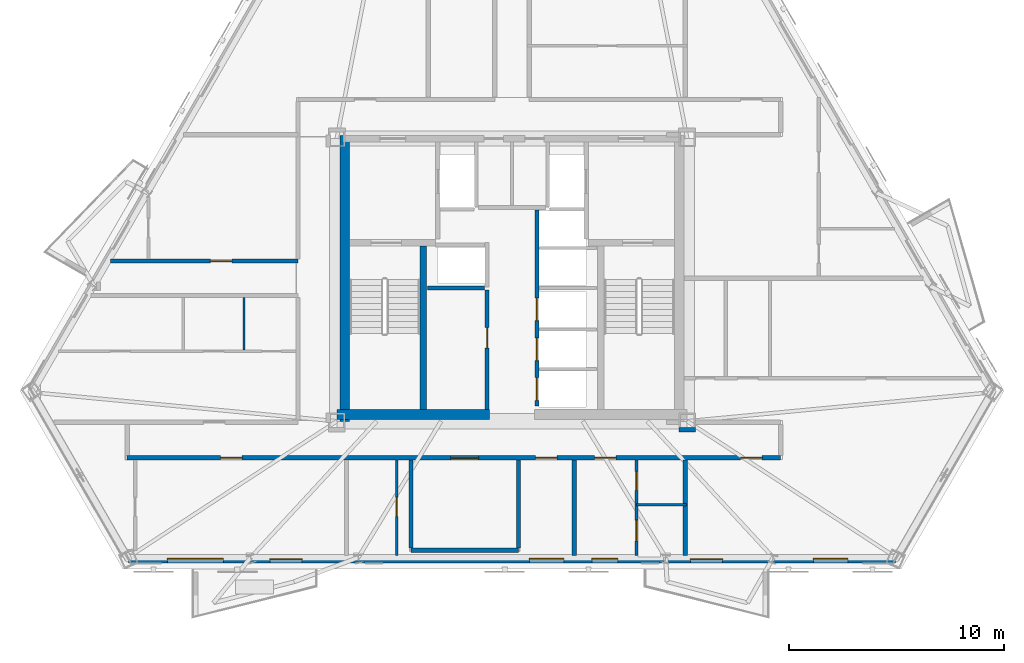
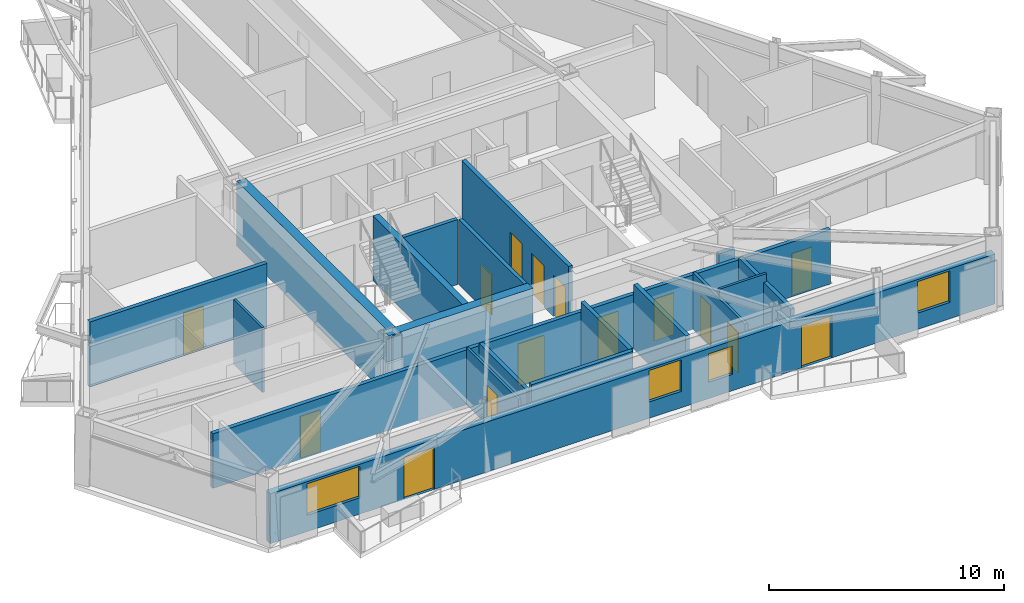
# One storey, part 3 of 9: 19 walls, 15 doors, 4 windows, 19 openings.
"""IFC4 building model written with IfcOpenShell, lengths in metres."""

from ifc_helpers import new_model, si_unit, direction, frame, frame_2d, origin, place, context, subcontext, project, spatial, rectangle, extrude, material, layer, layer_set, type_object, element, fill, save


model = new_model("IFC4")

# Units and contexts
model_context = context("Model", 3, precision=1e-05, world=origin(), true_north=direction((0.0, 1.0)))
body_context = subcontext(model_context, "Body", "Model", "MODEL_VIEW")
ifc_project = project(units=[si_unit("LENGTHUNIT", "METRE"), si_unit("AREAUNIT", "SQUARE_METRE"), si_unit("VOLUMEUNIT", "CUBIC_METRE"), si_unit("PLANEANGLEUNIT", "RADIAN"), si_unit("MASSUNIT", "GRAM", prefix="KILO")], contexts=[model_context])

# Site, building, storey
site_placement = place(None, origin())
site = spatial("IfcSite", under=ifc_project, at=site_placement, CompositionType="ELEMENT")
building_placement = place(site_placement, origin())
building = spatial("IfcBuilding", under=site, at=building_placement, Name="Oramaril Tower", CompositionType="ELEMENT")
storey_placement = place(building_placement, frame((0.0, 0.0, 160.199951171875)))
storey = spatial("IfcBuildingStorey", under=building, at=storey_placement, Name="L42", CompositionType="ELEMENT", Elevation=160.199951171875)

# Wall, openings, doors, windows
ifc_material_1 = material(Name="Warm Cream Limestone", Category="masonry")
ifc_layer_1 = layer(ifc_material_1, 0.340087890625)
ifc_layer_set_1 = layer_set([ifc_layer_1], Name="WT-EXT34")
wall_type_1 = type_object("IfcWallType", Name="WT-EXT34", PredefinedType="SOLIDWALL", material=ifc_layer_set_1)
wall_1_placement = place(storey_placement, frame((19.663818359375, 4.586669921875, 0.0), z_axis=(0.0, 0.0, 1.0), x_axis=(1.0, 0.0, 0.0)))
wall_1 = element("IfcWall", 1, at=wall_1_placement, inside=storey, type_object=wall_type_1, Name="L42 Tower Limestone Facade Wall 2M", PredefinedType="SOLIDWALL", context=body_context, shape_type="SweptSolid", body=[
    extrude(rectangle(XDim=35.67236328125, YDim=0.340087890625, at=frame_2d((17.836181640625, 0.0))), origin(), (0.0, 0.0, 1.0), 2.60009765625),
])
opening_1_placement = place(wall_1_placement, frame((6.579345703125, 0.0, 0.0)))
opening_1 = element("IfcOpeningElement", 2, at=opening_1_placement, cuts=wall_1, Name="Opening D-L42-BAL-S1", PredefinedType="OPENING", context=body_context, shape_type="SweptSolid", body=[
    extrude(rectangle(XDim=1.5, YDim=2.199951171875, at=frame_2d((0.75, 1.10009765625))), frame((0.0, 0.169921875, 0.0), z_axis=(0.0, -1.0, 0.0), x_axis=(1.0, 0.0, 0.0)), (0.0, 0.0, 1.0), 0.340087890625),
])
opening_2_placement = place(wall_1_placement, frame((26.13818359375, 0.0, 0.0)))
opening_2 = element("IfcOpeningElement", 3, at=opening_2_placement, cuts=wall_1, Name="Opening D-L42-BAL-S2", PredefinedType="OPENING", context=body_context, shape_type="SweptSolid", body=[
    extrude(rectangle(XDim=1.5, YDim=2.199951171875, at=frame_2d((0.75, 1.10009765625))), frame((0.0, 0.169921875, 0.0), z_axis=(0.0, -1.0, 0.0), x_axis=(1.0, 0.0, 0.0)), (0.0, 0.0, 1.0), 0.340087890625),
])
opening_3_placement = place(wall_1_placement, frame((1.8095703125, 0.0, 0.85009765625)))
opening_3 = element("IfcOpeningElement", 4, at=opening_3_placement, cuts=wall_1, Name="Opening WN-02", PredefinedType="OPENING", context=body_context, shape_type="SweptSolid", body=[
    extrude(rectangle(XDim=2.60009765625, YDim=1.639892578125, at=frame_2d((1.300048828125, 0.81982421875))), frame((0.0, 0.169921875, 0.0), z_axis=(0.0, -1.0, 0.0), x_axis=(1.0, 0.0, 0.0)), (0.0, 0.0, 1.0), 0.340087890625),
])
opening_4_placement = place(wall_1_placement, frame((18.6455078125, 0.0, 0.85009765625)))
opening_4 = element("IfcOpeningElement", 5, at=opening_4_placement, cuts=wall_1, Name="Opening WN-07", PredefinedType="OPENING", context=body_context, shape_type="SweptSolid", body=[
    extrude(rectangle(XDim=1.60009765625, YDim=1.639892578125, at=frame_2d((0.800048828125, 0.81982421875))), frame((0.0, 0.169921875, 0.0), z_axis=(0.0, -1.0, 0.0), x_axis=(1.0, 0.0, 0.0)), (0.0, 0.0, 1.0), 0.340087890625),
])
opening_5_placement = place(wall_1_placement, frame((31.85302734375, 0.0, 0.85009765625)))
opening_5 = element("IfcOpeningElement", 6, at=opening_5_placement, cuts=wall_1, Name="Opening WN-07", PredefinedType="OPENING", context=body_context, shape_type="SweptSolid", body=[
    extrude(rectangle(XDim=1.60009765625, YDim=1.639892578125, at=frame_2d((0.800048828125, 0.81982421875))), frame((0.0, 0.169921875, 0.0), z_axis=(0.0, -1.0, 0.0), x_axis=(1.0, 0.0, 0.0)), (0.0, 0.0, 1.0), 0.340087890625),
])
opening_6_placement = place(wall_1_placement, frame((21.554931640625, 0.0, 0.85009765625)))
opening_6 = element("IfcOpeningElement", 7, at=opening_6_placement, cuts=wall_1, Name="Opening WN-09", PredefinedType="OPENING", context=body_context, shape_type="SweptSolid", body=[
    extrude(rectangle(XDim=1.199951171875, YDim=1.47998046875, at=frame_2d((0.60009765625, 0.739990234375))), frame((0.0, 0.169921875, 0.0), z_axis=(0.0, -1.0, 0.0), x_axis=(1.0, 0.0, 0.0)), (0.0, 0.0, 1.0), 0.340087890625),
])
ifc_material_2 = material(Name="Anodised Aluminium 6063-T6", Category="aluminium")
door_type_1 = type_object("IfcDoorType", Name="DT-BAL", OperationType="NOTDEFINED", PredefinedType="DOOR", material=ifc_material_2)
door_1_placement = place(opening_1_placement, origin())
door_1 = element("IfcDoor", 8, at=door_1_placement, inside=storey, type_object=door_type_1, Name="L42 Balcony Glazed Door L42-BAL-S1", OperationType="SINGLE_SWING_LEFT", OverallHeight=2.199951171875, OverallWidth=1.5, PredefinedType="DOOR", context=body_context, shape_type="SweptSolid", body=[
    extrude(rectangle(XDim=1.5, YDim=2.199951171875, at=frame_2d((0.75, 1.10009765625))), frame((0.0, 0.02490234375, 0.0), z_axis=(0.0, -1.0, 0.0), x_axis=(1.0, 0.0, 0.0)), (0.0, 0.0, 1.0), 0.050048828125),
])
fill(opening_1, door_1)
door_2_placement = place(opening_2_placement, origin())
door_2 = element("IfcDoor", 9, at=door_2_placement, inside=storey, type_object=door_type_1, Name="L42 Balcony Glazed Door L42-BAL-S2", OperationType="SINGLE_SWING_RIGHT", OverallHeight=2.199951171875, OverallWidth=1.5, PredefinedType="DOOR", context=body_context, shape_type="SweptSolid", body=[
    extrude(rectangle(XDim=1.5, YDim=2.199951171875, at=frame_2d((0.75, 1.10009765625))), frame((0.0, 0.02490234375, 0.0), z_axis=(0.0, -1.0, 0.0), x_axis=(1.0, 0.0, 0.0)), (0.0, 0.0, 1.0), 0.050048828125),
])
fill(opening_2, door_2)
ifc_material_3 = material(Name="Coastal Low-E Insulated Glass", Category="glass")
window_type_1 = type_object("IfcWindowType", Name="WNT-02", PartitioningType="SINGLE_PANEL", PredefinedType="WINDOW", material=ifc_material_3)
window_1_placement = place(opening_3_placement, origin())
window_1 = element("IfcWindow", 10, at=window_1_placement, inside=storey, type_object=window_type_1, Name="L42 Chicago Bay Window WN-02", OverallHeight=1.639892578125, OverallWidth=2.60009765625, PartitioningType="SINGLE_PANEL", PredefinedType="WINDOW", context=body_context, shape_type="SweptSolid", body=[
    extrude(rectangle(XDim=2.60009765625, YDim=1.639892578125, at=frame_2d((1.300048828125, 0.81982421875))), frame((0.0, 0.030029296875, 0.0), z_axis=(0.0, -1.0, 0.0), x_axis=(1.0, 0.0, 0.0)), (0.0, 0.0, 1.0), 0.06005859375),
])
fill(opening_3, window_1)
ifc_material_4 = material(Name="Coastal Low-E Insulated Glass", Category="glass")
window_type_2 = type_object("IfcWindowType", Name="WNT-07", PartitioningType="SINGLE_PANEL", PredefinedType="WINDOW", material=ifc_material_4)
window_2_placement = place(opening_4_placement, origin())
window_2 = element("IfcWindow", 11, at=window_2_placement, inside=storey, type_object=window_type_2, Name="L42 Chicago Bay Window WN-07", OverallHeight=1.639892578125, OverallWidth=1.60009765625, PartitioningType="SINGLE_PANEL", PredefinedType="WINDOW", context=body_context, shape_type="SweptSolid", body=[
    extrude(rectangle(XDim=1.60009765625, YDim=1.639892578125, at=frame_2d((0.800048828125, 0.81982421875))), frame((0.0, 0.030029296875, 0.0), z_axis=(0.0, -1.0, 0.0), x_axis=(1.0, 0.0, 0.0)), (0.0, 0.0, 1.0), 0.06005859375),
])
fill(opening_4, window_2)
window_3_placement = place(opening_5_placement, origin())
window_3 = element("IfcWindow", 12, at=window_3_placement, inside=storey, type_object=window_type_2, Name="L42 Chicago Bay Window WN-07", OverallHeight=1.639892578125, OverallWidth=1.60009765625, PartitioningType="SINGLE_PANEL", PredefinedType="WINDOW", context=body_context, shape_type="SweptSolid", body=[
    extrude(rectangle(XDim=1.60009765625, YDim=1.639892578125, at=frame_2d((0.800048828125, 0.81982421875))), frame((0.0, 0.030029296875, 0.0), z_axis=(0.0, -1.0, 0.0), x_axis=(1.0, 0.0, 0.0)), (0.0, 0.0, 1.0), 0.06005859375),
])
fill(opening_5, window_3)
ifc_material_5 = material(Name="Coastal Low-E Insulated Glass", Category="glass")
window_type_3 = type_object("IfcWindowType", Name="WNT-09", PartitioningType="SINGLE_PANEL", PredefinedType="WINDOW", material=ifc_material_5)
window_4_placement = place(opening_6_placement, origin())
window_4 = element("IfcWindow", 13, at=window_4_placement, inside=storey, type_object=window_type_3, Name="L42 Apartment Bedroom Window WN-09", OverallHeight=1.47998046875, OverallWidth=1.199951171875, PartitioningType="SINGLE_PANEL", PredefinedType="WINDOW", context=body_context, shape_type="SweptSolid", body=[
    extrude(rectangle(XDim=1.199951171875, YDim=1.47998046875, at=frame_2d((0.60009765625, 0.739990234375))), frame((0.0, 0.030029296875, 0.0), z_axis=(0.0, -1.0, 0.0), x_axis=(1.0, 0.0, 0.0)), (0.0, 0.0, 1.0), 0.06005859375),
])
fill(opening_6, window_4)

# Walls
ifc_material_6 = material(Name="Acoustic Gypsum Board Partition")
ifc_layer_2 = layer(ifc_material_6, 0.10009765625)
ifc_layer_set_2 = layer_set([ifc_layer_2], Name="WT-PT10")
wall_type_2 = type_object("IfcWallType", Name="WT-PT10", PredefinedType="PARTITIONING", material=ifc_layer_set_2)
wall_2_placement = place(storey_placement, frame((25.030029296875, 14.31396484375, 0.0), z_axis=(0.0, 0.0, 1.0), x_axis=(0.0, 1.0, 0.0)))
element("IfcWall", 14, at=wall_2_placement, inside=storey, type_object=wall_type_2, Name="L42 Interior Partition PT-10", PredefinedType="PARTITIONING", context=body_context, shape_type="SweptSolid", body=[
    extrude(rectangle(XDim=2.43212890625, YDim=0.10009765625, at=frame_2d((1.216064453125, 0.0))), origin(), (0.0, 0.0, 1.0), 3.380126953125),
])
ifc_material_7 = material(Name="Acoustic Gypsum Board Partition")
ifc_layer_3 = layer(ifc_material_7, 0.1201171875)
ifc_layer_set_3 = layer_set([ifc_layer_3], Name="WT-PT12")
wall_type_3 = type_object("IfcWallType", Name="WT-PT12", PredefinedType="PARTITIONING", material=ifc_layer_set_3)
wall_3_placement = place(storey_placement, frame((43.28955078125, 7.110107421875, 0.0), z_axis=(0.0, 0.0, 1.0), x_axis=(1.0, 0.0, 0.0)))
element("IfcWall", 15, at=wall_3_placement, inside=storey, type_object=wall_type_3, Name="L42 Interior Partition PT-12", PredefinedType="PARTITIONING", context=body_context, shape_type="SweptSolid", body=[
    extrude(rectangle(XDim=2.320556640625, YDim=0.1201171875, at=frame_2d((1.16015625, 0.0))), origin(), (0.0, 0.0, 1.0), 3.380126953125),
])

# Wall, opening, door
wall_4_placement = place(storey_placement, frame((32.1298828125, 4.7607421875, 0.0), z_axis=(0.0, 0.0, 1.0), x_axis=(0.0, 1.0, 0.0)))
wall_4 = element("IfcWall", 16, at=wall_4_placement, inside=storey, type_object=wall_type_3, Name="L42 Interior Partition PT-12", PredefinedType="PARTITIONING", context=body_context, shape_type="SweptSolid", body=[
    extrude(rectangle(XDim=4.435302734375, YDim=0.1201171875, at=frame_2d((2.2177734375, 0.0))), origin(), (0.0, 0.0, 1.0), 2.966064453125),
])
opening_7_placement = place(wall_4_placement, frame((1.817626953125, 0.0, 0.0)))
opening_7 = element("IfcOpeningElement", 17, at=opening_7_placement, cuts=wall_4, Name="Opening D-L42-22", PredefinedType="OPENING", context=body_context, shape_type="SweptSolid", body=[
    extrude(rectangle(XDim=0.8798828125, YDim=2.080078125, at=frame_2d((0.43994140625, 1.0400390625))), frame((0.0, 0.06005859375, 0.0), z_axis=(0.0, -1.0, 0.0), x_axis=(1.0, 0.0, 0.0)), (0.0, 0.0, 1.0), 0.1201171875),
])
ifc_material_8 = material(Name="FSC Brazilian Freijo Hardwood", Category="wood")
door_type_2 = type_object("IfcDoorType", Name="DT-BATH", OperationType="NOTDEFINED", PredefinedType="DOOR", material=ifc_material_8)
door_3_placement = place(opening_7_placement, origin())
door_3 = element("IfcDoor", 18, at=door_3_placement, inside=storey, type_object=door_type_2, Name="L42 Flat L42-U2 Bathroom Door D-L42-22", OperationType="SINGLE_SWING_RIGHT", OverallHeight=2.080078125, OverallWidth=0.8798828125, PredefinedType="DOOR", context=body_context, shape_type="SweptSolid", body=[
    extrude(rectangle(XDim=0.8798828125, YDim=2.080078125, at=frame_2d((0.43994140625, 1.0400390625))), frame((0.0, 0.02490234375, 0.0), z_axis=(0.0, -1.0, 0.0), x_axis=(1.0, 0.0, 0.0)), (0.0, 0.0, 1.0), 0.050048828125),
])
fill(opening_7, door_3)

# Wall, openings, doors
ifc_material_9 = material(Name="Acoustic Gypsum Board Partition")
ifc_layer_4 = layer(ifc_material_9, 0.139892578125)
ifc_layer_set_4 = layer_set([ifc_layer_4], Name="WT-PT14")
wall_type_4 = type_object("IfcWallType", Name="WT-PT14", PredefinedType="PARTITIONING", material=ifc_layer_set_4)
wall_5_placement = place(storey_placement, frame((43.2900390625, 4.7607421875, 0.0), z_axis=(0.0, 0.0, 1.0), x_axis=(0.0, 1.0, 0.0)))
wall_5 = element("IfcWall", 19, at=wall_5_placement, inside=storey, type_object=wall_type_4, Name="L42 Interior Partition PT-14", PredefinedType="PARTITIONING", context=body_context, shape_type="SweptSolid", body=[
    extrude(rectangle(XDim=4.435302734375, YDim=0.139892578125, at=frame_2d((2.2177734375, 0.0))), origin(), (0.0, 0.0, 1.0), 2.966064453125),
])
opening_8_placement = place(wall_5_placement, frame((0.673095703125, 0.0, 0.0)))
opening_8 = element("IfcOpeningElement", 20, at=opening_8_placement, cuts=wall_5, Name="Opening D-L42-25", PredefinedType="OPENING", context=body_context, shape_type="SweptSolid", body=[
    extrude(rectangle(XDim=0.949951171875, YDim=2.10009765625, at=frame_2d((0.47509765625, 1.050048828125))), frame((0.0, 0.06982421875, 0.0), z_axis=(0.0, -1.0, 0.0), x_axis=(1.0, 0.0, 0.0)), (0.0, 0.0, 1.0), 0.139892578125),
])
opening_9_placement = place(wall_5_placement, frame((3.019775390625, 0.0, 0.0)))
opening_9 = element("IfcOpeningElement", 21, at=opening_9_placement, cuts=wall_5, Name="Opening D-L42-26", PredefinedType="OPENING", context=body_context, shape_type="SweptSolid", body=[
    extrude(rectangle(XDim=0.8798828125, YDim=2.080078125, at=frame_2d((0.43994140625, 1.0400390625))), frame((0.0, 0.06982421875, 0.0), z_axis=(0.0, -1.0, 0.0), x_axis=(1.0, 0.0, 0.0)), (0.0, 0.0, 1.0), 0.139892578125),
])
door_4_placement = place(opening_9_placement, origin())
door_4 = element("IfcDoor", 22, at=door_4_placement, inside=storey, type_object=door_type_2, Name="L42 Flat L42-U3 Bathroom Door D-L42-26", OperationType="SINGLE_SWING_RIGHT", OverallHeight=2.080078125, OverallWidth=0.8798828125, PredefinedType="DOOR", context=body_context, shape_type="SweptSolid", body=[
    extrude(rectangle(XDim=0.8798828125, YDim=2.080078125, at=frame_2d((0.43994140625, 1.0400390625))), frame((0.0, 0.02490234375, 0.0), z_axis=(0.0, -1.0, 0.0), x_axis=(1.0, 0.0, 0.0)), (0.0, 0.0, 1.0), 0.050048828125),
])
fill(opening_9, door_4)
ifc_material_10 = material(Name="FSC Brazilian Freijo Hardwood", Category="wood")
door_type_3 = type_object("IfcDoorType", Name="DT-STDY", OperationType="NOTDEFINED", PredefinedType="DOOR", material=ifc_material_10)
door_5_placement = place(opening_8_placement, origin())
door_5 = element("IfcDoor", 23, at=door_5_placement, inside=storey, type_object=door_type_3, Name="L42 Flat L42-U3 Kitchen Door D-L42-25", OperationType="SINGLE_SWING_LEFT", OverallHeight=2.10009765625, OverallWidth=0.949951171875, PredefinedType="DOOR", context=body_context, shape_type="SweptSolid", body=[
    extrude(rectangle(XDim=0.949951171875, YDim=2.10009765625, at=frame_2d((0.47509765625, 1.050048828125))), frame((0.0, 0.02490234375, 0.0), z_axis=(0.0, -1.0, 0.0), x_axis=(1.0, 0.0, 0.0)), (0.0, 0.0, 1.0), 0.050048828125),
])
fill(opening_8, door_5)

# Wall
ifc_material_11 = material(Name="Autoclaved Cellular Concrete Block", Category="concrete")
ifc_layer_5 = layer(ifc_material_11, 0.179931640625)
ifc_layer_set_5 = layer_set([ifc_layer_5], Name="WT-PT18")
wall_type_5 = type_object("IfcWallType", Name="WT-PT18", PredefinedType="PARTITIONING", material=ifc_layer_set_5)
wall_6_placement = place(storey_placement, frame((33.56005859375, 17.199951171875, 0.0), z_axis=(0.0, 0.0, 1.0), x_axis=(1.0, 0.0, 0.0)))
element("IfcWall", 24, at=wall_6_placement, inside=storey, type_object=wall_type_5, Name="L42 High-Rise Lift H1 South Wall", PredefinedType="PARTITIONING", context=body_context, shape_type="SweptSolid", body=[
    extrude(rectangle(XDim=2.659912109375, YDim=0.179931640625, at=frame_2d((1.330078125, 0.0))), origin(), (0.0, 0.0, 1.0), 3.380126953125),
])

# Wall, opening, door
wall_7_placement = place(storey_placement, frame((36.340087890625, 11.550048828125, 0.0), z_axis=(0.0, 0.0, 1.0), x_axis=(0.0, 1.0, 0.0)))
wall_7 = element("IfcWall", 25, at=wall_7_placement, inside=storey, type_object=wall_type_5, Name="L42 Freed Shaft Study East Wall", PredefinedType="PARTITIONING", context=body_context, shape_type="SweptSolid", body=[
    extrude(rectangle(XDim=5.550048828125, YDim=0.179931640625, at=frame_2d((2.77490234375, 0.0))), origin(), (0.0, 0.0, 1.0), 3.380126953125),
])
opening_10_placement = place(wall_7_placement, frame((2.85009765625, 0.0, 0.0)))
opening_10 = element("IfcOpeningElement", 26, at=opening_10_placement, cuts=wall_7, Name="Opening D-L42-FL1", PredefinedType="OPENING", context=body_context, shape_type="SweptSolid", body=[
    extrude(rectangle(XDim=0.949951171875, YDim=2.10009765625, at=frame_2d((0.47509765625, 1.050048828125))), frame((0.0, 0.08984375, 0.0), z_axis=(0.0, -1.0, 0.0), x_axis=(1.0, 0.0, 0.0)), (0.0, 0.0, 1.0), 0.179931640625),
])
door_6_placement = place(opening_10_placement, origin())
door_6 = element("IfcDoor", 27, at=door_6_placement, inside=storey, type_object=door_type_3, Name="L42 L42 Residents Study Alcove Door", OperationType="SINGLE_SWING_LEFT", OverallHeight=2.10009765625, OverallWidth=0.949951171875, PredefinedType="DOOR", context=body_context, shape_type="SweptSolid", body=[
    extrude(rectangle(XDim=0.949951171875, YDim=2.10009765625, at=frame_2d((0.47509765625, 1.050048828125))), frame((0.0, 0.02490234375, 0.0), z_axis=(0.0, -1.0, 0.0), x_axis=(1.0, 0.0, 0.0)), (0.0, 0.0, 1.0), 0.050048828125),
])
fill(opening_10, door_6)

# Wall
ifc_material_12 = material(Name="Autoclaved Cellular Concrete Block", Category="concrete")
ifc_layer_6 = layer(ifc_material_12, 0.199951171875)
ifc_layer_set_6 = layer_set([ifc_layer_6], Name="WT-PT20")
wall_type_6 = type_object("IfcWallType", Name="WT-PT20", PredefinedType="PARTITIONING", material=ifc_layer_set_6)
wall_8_placement = place(storey_placement, frame((32.800048828125, 5.0, 0.0), z_axis=(0.0, 0.0, 1.0), x_axis=(1.0, 0.0, 0.0)))
element("IfcWall", 28, at=wall_8_placement, inside=storey, type_object=wall_type_6, Name="L42 Interior Partition PT-20", PredefinedType="PARTITIONING", context=body_context, shape_type="SweptSolid", body=[
    extrude(rectangle(XDim=5.0, YDim=0.199951171875, at=frame_2d((2.5, 0.0))), origin(), (0.0, 0.0, 1.0), 3.380126953125),
])

# Wall, openings, doors
wall_9_placement = place(storey_placement, frame((19.60009765625, 9.300048828125, 0.0), z_axis=(0.0, 0.0, 1.0), x_axis=(1.0, 0.0, 0.0)))
wall_9 = element("IfcWall", 29, at=wall_9_placement, inside=storey, type_object=wall_type_6, Name="L42 Interior Partition PT-20", PredefinedType="PARTITIONING", context=body_context, shape_type="SweptSolid", body=[
    extrude(rectangle(XDim=30.39990234375, YDim=0.199951171875, at=frame_2d((15.199951171875, 0.0))), origin(), (0.0, 0.0, 1.0), 2.842041015625),
])
opening_11_placement = place(wall_9_placement, frame((4.3447265625, 0.0, 0.0)))
opening_11 = element("IfcOpeningElement", 30, at=opening_11_placement, cuts=wall_9, Name="Opening D-L42-01", PredefinedType="OPENING", context=body_context, shape_type="SweptSolid", body=[
    extrude(rectangle(XDim=1.0, YDim=2.179931640625, at=frame_2d((0.5, 1.08984375))), frame((0.0, 0.10009765625, 0.0), z_axis=(0.0, -1.0, 0.0), x_axis=(1.0, 0.0, 0.0)), (0.0, 0.0, 1.0), 0.199951171875),
])
opening_12_placement = place(wall_9_placement, frame((15.050048828125, 0.0, 0.0)))
opening_12 = element("IfcOpeningElement", 31, at=opening_12_placement, cuts=wall_9, Name="Opening D-L42-02", PredefinedType="OPENING", context=body_context, shape_type="SweptSolid", body=[
    extrude(rectangle(XDim=1.300048828125, YDim=2.199951171875, at=frame_2d((0.64990234375, 1.10009765625))), frame((0.0, 0.10009765625, 0.0), z_axis=(0.0, -1.0, 0.0), x_axis=(1.0, 0.0, 0.0)), (0.0, 0.0, 1.0), 0.199951171875),
])
opening_13_placement = place(wall_9_placement, frame((19.0, 0.0, 0.0)))
opening_13 = element("IfcOpeningElement", 32, at=opening_13_placement, cuts=wall_9, Name="Opening D-L42-03", PredefinedType="OPENING", context=body_context, shape_type="SweptSolid", body=[
    extrude(rectangle(XDim=1.0, YDim=2.179931640625, at=frame_2d((0.5, 1.08984375))), frame((0.0, 0.10009765625, 0.0), z_axis=(0.0, -1.0, 0.0), x_axis=(1.0, 0.0, 0.0)), (0.0, 0.0, 1.0), 0.199951171875),
])
opening_14_placement = place(wall_9_placement, frame((21.744873046875, 0.0, 0.0)))
opening_14 = element("IfcOpeningElement", 33, at=opening_14_placement, cuts=wall_9, Name="Opening D-L42-04", PredefinedType="OPENING", context=body_context, shape_type="SweptSolid", body=[
    extrude(rectangle(XDim=1.0, YDim=2.179931640625, at=frame_2d((0.5, 1.08984375))), frame((0.0, 0.10009765625, 0.0), z_axis=(0.0, -1.0, 0.0), x_axis=(1.0, 0.0, 0.0)), (0.0, 0.0, 1.0), 0.199951171875),
])
opening_15_placement = place(wall_9_placement, frame((28.5322265625, 0.0, 0.0)))
opening_15 = element("IfcOpeningElement", 34, at=opening_15_placement, cuts=wall_9, Name="Opening D-L42-05", PredefinedType="OPENING", context=body_context, shape_type="SweptSolid", body=[
    extrude(rectangle(XDim=1.0, YDim=2.179931640625, at=frame_2d((0.5, 1.08984375))), frame((0.0, 0.10009765625, 0.0), z_axis=(0.0, -1.0, 0.0), x_axis=(1.0, 0.0, 0.0)), (0.0, 0.0, 1.0), 0.199951171875),
])
ifc_material_13 = material(Name="FSC Brazilian Freijo Hardwood", Category="wood")
door_type_4 = type_object("IfcDoorType", Name="DT-APT", OperationType="NOTDEFINED", PredefinedType="DOOR", material=ifc_material_13)
door_7_placement = place(opening_11_placement, origin())
door_7 = element("IfcDoor", 35, at=door_7_placement, inside=storey, type_object=door_type_4, Name="L42 Flat L42-U1 Kitchen and Studio Apartment Door D-L42-01", OperationType="SINGLE_SWING_LEFT", OverallHeight=2.179931640625, OverallWidth=1.0, PredefinedType="DOOR", context=body_context, shape_type="SweptSolid", body=[
    extrude(rectangle(XDim=1.0, YDim=2.179931640625, at=frame_2d((0.5, 1.08984375))), frame((0.0, 0.02490234375, 0.0), z_axis=(0.0, -1.0, 0.0), x_axis=(1.0, 0.0, 0.0)), (0.0, 0.0, 1.0), 0.050048828125),
])
fill(opening_11, door_7)
door_8_placement = place(opening_13_placement, origin())
door_8 = element("IfcDoor", 36, at=door_8_placement, inside=storey, type_object=door_type_4, Name="L42 Flat L42-U2 Kitchen and Studio Apartment Door D-L42-03", OperationType="SINGLE_SWING_LEFT", OverallHeight=2.179931640625, OverallWidth=1.0, PredefinedType="DOOR", context=body_context, shape_type="SweptSolid", body=[
    extrude(rectangle(XDim=1.0, YDim=2.179931640625, at=frame_2d((0.5, 1.08984375))), frame((0.0, 0.02490234375, 0.0), z_axis=(0.0, -1.0, 0.0), x_axis=(1.0, 0.0, 0.0)), (0.0, 0.0, 1.0), 0.050048828125),
])
fill(opening_13, door_8)
door_9_placement = place(opening_14_placement, origin())
door_9 = element("IfcDoor", 37, at=door_9_placement, inside=storey, type_object=door_type_4, Name="L42 Flat L42-U3 Studio Apartment Door D-L42-04", OperationType="SINGLE_SWING_RIGHT", OverallHeight=2.179931640625, OverallWidth=1.0, PredefinedType="DOOR", context=body_context, shape_type="SweptSolid", body=[
    extrude(rectangle(XDim=1.0, YDim=2.179931640625, at=frame_2d((0.5, 1.08984375))), frame((0.0, 0.02490234375, 0.0), z_axis=(0.0, -1.0, 0.0), x_axis=(1.0, 0.0, 0.0)), (0.0, 0.0, 1.0), 0.050048828125),
])
fill(opening_14, door_9)
door_10_placement = place(opening_15_placement, origin())
door_10 = element("IfcDoor", 38, at=door_10_placement, inside=storey, type_object=door_type_4, Name="L42 Flat L42-U6 Penthouse Living and Dining Room Door D-L42-05", OperationType="SINGLE_SWING_LEFT", OverallHeight=2.179931640625, OverallWidth=1.0, PredefinedType="DOOR", context=body_context, shape_type="SweptSolid", body=[
    extrude(rectangle(XDim=1.0, YDim=2.179931640625, at=frame_2d((0.5, 1.08984375))), frame((0.0, 0.02490234375, 0.0), z_axis=(0.0, -1.0, 0.0), x_axis=(1.0, 0.0, 0.0)), (0.0, 0.0, 1.0), 0.050048828125),
])
fill(opening_15, door_10)
ifc_material_14 = material(Name="FSC Brazilian Freijo Hardwood", Category="wood")
door_type_5 = type_object("IfcDoorType", Name="DT-COM", OperationType="NOTDEFINED", PredefinedType="DOOR", material=ifc_material_14)
door_11_placement = place(opening_12_placement, origin())
door_11 = element("IfcDoor", 39, at=door_11_placement, inside=storey, type_object=door_type_5, Name="L42 L42 Floor Co-Working Office Suite Door D-L42-02", OperationType="SINGLE_SWING_RIGHT", OverallHeight=2.199951171875, OverallWidth=1.300048828125, PredefinedType="DOOR", context=body_context, shape_type="SweptSolid", body=[
    extrude(rectangle(XDim=1.300048828125, YDim=2.199951171875, at=frame_2d((0.64990234375, 1.10009765625))), frame((0.0, 0.02490234375, 0.0), z_axis=(0.0, -1.0, 0.0), x_axis=(1.0, 0.0, 0.0)), (0.0, 0.0, 1.0), 0.050048828125),
])
fill(opening_12, door_11)

# Wall
wall_10_placement = place(storey_placement, frame((45.260009765625, 10.610107421875, 0.0), z_axis=(0.0, 0.0, 1.0), x_axis=(1.0, 0.0, 0.0)))
element("IfcWall", 40, at=wall_10_placement, inside=storey, type_object=wall_type_6, Name="L42 Interior Partition PT-20", PredefinedType="PARTITIONING", context=body_context, shape_type="SweptSolid", body=[
    extrude(rectangle(XDim=0.780029296875, YDim=0.199951171875, at=frame_2d((0.39013671875, 0.0))), origin(), (0.0, 0.0, 1.0), 2.420166015625),
])

# Wall, opening, door
wall_11_placement = place(storey_placement, frame((18.8349609375, 18.449951171875, 0.0), z_axis=(0.0, 0.0, 1.0), x_axis=(1.0, 0.0, 0.0)))
wall_11 = element("IfcWall", 41, at=wall_11_placement, inside=storey, type_object=wall_type_6, Name="L42 Interior Partition PT-20", PredefinedType="PARTITIONING", context=body_context, shape_type="SweptSolid", body=[
    extrude(rectangle(XDim=8.715087890625, YDim=0.199951171875, at=frame_2d((4.357421875, 0.0))), origin(), (0.0, 0.0, 1.0), 3.380126953125),
])
opening_16_placement = place(wall_11_placement, frame((4.640625, 0.0, 0.0)))
opening_16 = element("IfcOpeningElement", 42, at=opening_16_placement, cuts=wall_11, Name="Opening D-L42-13", PredefinedType="OPENING", context=body_context, shape_type="SweptSolid", body=[
    extrude(rectangle(XDim=1.0, YDim=2.179931640625, at=frame_2d((0.5, 1.08984375))), frame((0.0, 0.10009765625, 0.0), z_axis=(0.0, -1.0, 0.0), x_axis=(1.0, 0.0, 0.0)), (0.0, 0.0, 1.0), 0.199951171875),
])
door_12_placement = place(opening_16_placement, origin())
door_12 = element("IfcDoor", 43, at=door_12_placement, inside=storey, type_object=door_type_4, Name="L42 Flat L42-U5 Kitchen and Studio Apartment Door D-L42-13", OperationType="SINGLE_SWING_LEFT", OverallHeight=2.179931640625, OverallWidth=1.0, PredefinedType="DOOR", context=body_context, shape_type="SweptSolid", body=[
    extrude(rectangle(XDim=1.0, YDim=2.179931640625, at=frame_2d((0.5, 1.08984375))), frame((0.0, 0.02490234375, 0.0), z_axis=(0.0, -1.0, 0.0), x_axis=(1.0, 0.0, 0.0)), (0.0, 0.0, 1.0), 0.050048828125),
])
fill(opening_16, door_12)

# Walls
wall_12_placement = place(storey_placement, frame((32.800048828125, 5.10400390625, 0.0), z_axis=(0.0, 0.0, 1.0), x_axis=(0.0, 1.0, 0.0)))
element("IfcWall", 44, at=wall_12_placement, inside=storey, type_object=wall_type_6, Name="L42 Interior Partition PT-20", PredefinedType="PARTITIONING", context=body_context, shape_type="SweptSolid", body=[
    extrude(rectangle(XDim=4.092041015625, YDim=0.199951171875, at=frame_2d((2.0458984375, 0.0))), origin(), (0.0, 0.0, 1.0), 2.966064453125),
])
wall_13_placement = place(storey_placement, frame((37.800048828125, 5.10400390625, 0.0), z_axis=(0.0, 0.0, 1.0), x_axis=(0.0, 1.0, 0.0)))
element("IfcWall", 45, at=wall_13_placement, inside=storey, type_object=wall_type_6, Name="L42 Interior Partition PT-20", PredefinedType="PARTITIONING", context=body_context, shape_type="SweptSolid", body=[
    extrude(rectangle(XDim=4.092041015625, YDim=0.199951171875, at=frame_2d((2.0458984375, 0.0))), origin(), (0.0, 0.0, 1.0), 3.380126953125),
])
wall_14_placement = place(storey_placement, frame((40.39990234375, 4.7607421875, 0.0), z_axis=(0.0, 0.0, 1.0), x_axis=(0.0, 1.0, 0.0)))
element("IfcWall", 46, at=wall_14_placement, inside=storey, type_object=wall_type_6, Name="L42 Interior Partition PT-20", PredefinedType="PARTITIONING", context=body_context, shape_type="SweptSolid", body=[
    extrude(rectangle(XDim=4.435302734375, YDim=0.199951171875, at=frame_2d((2.2177734375, 0.0))), origin(), (0.0, 0.0, 1.0), 3.380126953125),
])
wall_15_placement = place(storey_placement, frame((45.56005859375, 4.7607421875, 0.0), z_axis=(0.0, 0.0, 1.0), x_axis=(0.0, 1.0, 0.0)))
element("IfcWall", 47, at=wall_15_placement, inside=storey, type_object=wall_type_6, Name="L42 Interior Partition PT-20", PredefinedType="PARTITIONING", context=body_context, shape_type="SweptSolid", body=[
    extrude(rectangle(XDim=4.435302734375, YDim=0.199951171875, at=frame_2d((2.2177734375, 0.0))), origin(), (0.0, 0.0, 1.0), 2.966064453125),
])
ifc_material_15 = material(Name="Concrete C50/60", Category="concrete")
ifc_layer_7 = layer(ifc_material_15, 0.300048828125)
ifc_layer_set_7 = layer_set([ifc_layer_7], Name="WT-SH30")
wall_type_7 = type_object("IfcWallType", Name="WT-SH30", PredefinedType="SHEAR", material=ifc_layer_set_7)
wall_16_placement = place(storey_placement, frame((33.3798828125, 11.5400390625, 0.0), z_axis=(0.0, 0.0, 1.0), x_axis=(0.0, 1.0, 0.0)))
element("IfcWall", 48, at=wall_16_placement, inside=storey, type_object=wall_type_7, Name="L42 Core Shear Wall CW-ST1E", PredefinedType="SHEAR", context=body_context, shape_type="SweptSolid", body=[
    extrude(rectangle(XDim=7.619873046875, YDim=0.300048828125, at=frame_2d((3.81005859375, 0.0))), origin(), (0.0, 0.0, 1.0), 3.380126953125),
])
ifc_material_16 = material(Name="Concrete C50/60", Category="concrete")
ifc_layer_8 = layer(ifc_material_16, 0.449951171875)
ifc_layer_set_8 = layer_set([ifc_layer_8], Name="WT-SH45")
wall_type_8 = type_object("IfcWallType", Name="WT-SH45", PredefinedType="SHEAR", material=ifc_layer_set_8)
wall_17_placement = place(storey_placement, frame((29.715087890625, 11.0, 0.0), z_axis=(0.0, 0.0, 1.0), x_axis=(0.0, 1.0, 0.0)))
element("IfcWall", 49, at=wall_17_placement, inside=storey, type_object=wall_type_8, Name="L42 Core Shear Wall CW-W", PredefinedType="SHEAR", context=body_context, shape_type="SweptSolid", body=[
    extrude(rectangle(XDim=13.300048828125, YDim=0.449951171875, at=frame_2d((6.64990234375, 0.0))), origin(), (0.0, 0.0, 1.0), 3.380126953125),
])
wall_18_placement = place(storey_placement, frame((29.35009765625, 11.31494140625, 0.0), z_axis=(0.0, 0.0, 1.0), x_axis=(1.0, 0.0, 0.0)))
element("IfcWall", 50, at=wall_18_placement, inside=storey, type_object=wall_type_8, Name="L42 Core Shear Wall CW-SW", PredefinedType="SHEAR", context=body_context, shape_type="SweptSolid", body=[
    extrude(rectangle(XDim=7.099853515625, YDim=0.449951171875, at=frame_2d((3.5498046875, 0.0))), origin(), (0.0, 0.0, 1.0), 3.380126953125),
])

# Wall, openings, doors
ifc_material_17 = material(Name="Autoclaved Cellular Concrete Block", Category="concrete")
ifc_layer_9 = layer(ifc_material_17, 0.199951171875)
ifc_layer_set_9 = layer_set([ifc_layer_9], Name="WT-SHF20")
wall_type_9 = type_object("IfcWallType", Name="WT-SHF20", PredefinedType="PARTITIONING", material=ifc_layer_set_9)
wall_19_placement = place(storey_placement, frame((38.659912109375, 11.719970703125, 0.0), z_axis=(0.0, 0.0, 1.0), x_axis=(0.0, 1.0, 0.0)))
wall_19 = element("IfcWall", 51, at=wall_19_placement, inside=storey, type_object=wall_type_9, Name="L42 East Lift Bank Front Wall", PredefinedType="PARTITIONING", context=body_context, shape_type="SweptSolid", body=[
    extrude(rectangle(XDim=9.10009765625, YDim=0.199951171875, at=frame_2d((4.550048828125, 0.0))), origin(), (0.0, 0.0, 1.0), 3.380126953125),
])
opening_17_placement = place(wall_19_placement, frame((0.2548828125, 0.0, 0.0)))
opening_17 = element("IfcOpeningElement", 52, at=opening_17_placement, cuts=wall_19, Name="Opening LD-L42-LP-M1", PredefinedType="OPENING", context=body_context, shape_type="SweptSolid", body=[
    extrude(rectangle(XDim=1.050048828125, YDim=2.14990234375, at=frame_2d((0.52490234375, 1.074951171875))), frame((0.0, 0.10009765625, 0.0), z_axis=(0.0, -1.0, 0.0), x_axis=(1.0, 0.0, 0.0)), (0.0, 0.0, 1.0), 0.199951171875),
])
opening_18_placement = place(wall_19_placement, frame((2.10498046875, 0.0, 0.0)))
opening_18 = element("IfcOpeningElement", 53, at=opening_18_placement, cuts=wall_19, Name="Opening LD-L42-LP-M2", PredefinedType="OPENING", context=body_context, shape_type="SweptSolid", body=[
    extrude(rectangle(XDim=1.050048828125, YDim=2.14990234375, at=frame_2d((0.52490234375, 1.074951171875))), frame((0.0, 0.10009765625, 0.0), z_axis=(0.0, -1.0, 0.0), x_axis=(1.0, 0.0, 0.0)), (0.0, 0.0, 1.0), 0.199951171875),
])
opening_19_placement = place(wall_19_placement, frame((3.955078125, 0.0, 0.0)))
opening_19 = element("IfcOpeningElement", 54, at=opening_19_placement, cuts=wall_19, Name="Opening LD-L42-LP-M3", PredefinedType="OPENING", context=body_context, shape_type="SweptSolid", body=[
    extrude(rectangle(XDim=1.050048828125, YDim=2.14990234375, at=frame_2d((0.52490234375, 1.074951171875))), frame((0.0, 0.10009765625, 0.0), z_axis=(0.0, -1.0, 0.0), x_axis=(1.0, 0.0, 0.0)), (0.0, 0.0, 1.0), 0.199951171875),
])
ifc_material_18 = material(Name="Stainless Steel 316L", Category="steel")
door_type_6 = type_object("IfcDoorType", Name="DT-LD2", OperationType="NOTDEFINED", PredefinedType="DOOR", material=ifc_material_18)
door_13_placement = place(opening_17_placement, origin())
door_13 = element("IfcDoor", 55, at=door_13_placement, inside=storey, type_object=door_type_6, Name="L42 Lift LP-M1 Sliding Landing Door", OperationType="SLIDING_TO_RIGHT", OverallHeight=2.14990234375, OverallWidth=1.050048828125, PredefinedType="DOOR", context=body_context, shape_type="SweptSolid", body=[
    extrude(rectangle(XDim=1.050048828125, YDim=2.14990234375, at=frame_2d((0.52490234375, 1.074951171875))), frame((0.0, 0.02490234375, 0.0), z_axis=(0.0, -1.0, 0.0), x_axis=(1.0, 0.0, 0.0)), (0.0, 0.0, 1.0), 0.050048828125),
])
fill(opening_17, door_13)
door_14_placement = place(opening_18_placement, origin())
door_14 = element("IfcDoor", 56, at=door_14_placement, inside=storey, type_object=door_type_6, Name="L42 Lift LP-M2 Sliding Landing Door", OperationType="SLIDING_TO_LEFT", OverallHeight=2.14990234375, OverallWidth=1.050048828125, PredefinedType="DOOR", context=body_context, shape_type="SweptSolid", body=[
    extrude(rectangle(XDim=1.050048828125, YDim=2.14990234375, at=frame_2d((0.52490234375, 1.074951171875))), frame((0.0, 0.02490234375, 0.0), z_axis=(0.0, -1.0, 0.0), x_axis=(1.0, 0.0, 0.0)), (0.0, 0.0, 1.0), 0.050048828125),
])
fill(opening_18, door_14)
door_15_placement = place(opening_19_placement, origin())
door_15 = element("IfcDoor", 57, at=door_15_placement, inside=storey, type_object=door_type_6, Name="L42 Lift LP-M3 Sliding Landing Door", OperationType="SLIDING_TO_RIGHT", OverallHeight=2.14990234375, OverallWidth=1.050048828125, PredefinedType="DOOR", context=body_context, shape_type="SweptSolid", body=[
    extrude(rectangle(XDim=1.050048828125, YDim=2.14990234375, at=frame_2d((0.52490234375, 1.074951171875))), frame((0.0, 0.02490234375, 0.0), z_axis=(0.0, -1.0, 0.0), x_axis=(1.0, 0.0, 0.0)), (0.0, 0.0, 1.0), 0.050048828125),
])
fill(opening_19, door_15)

save(model, "model.ifc")
